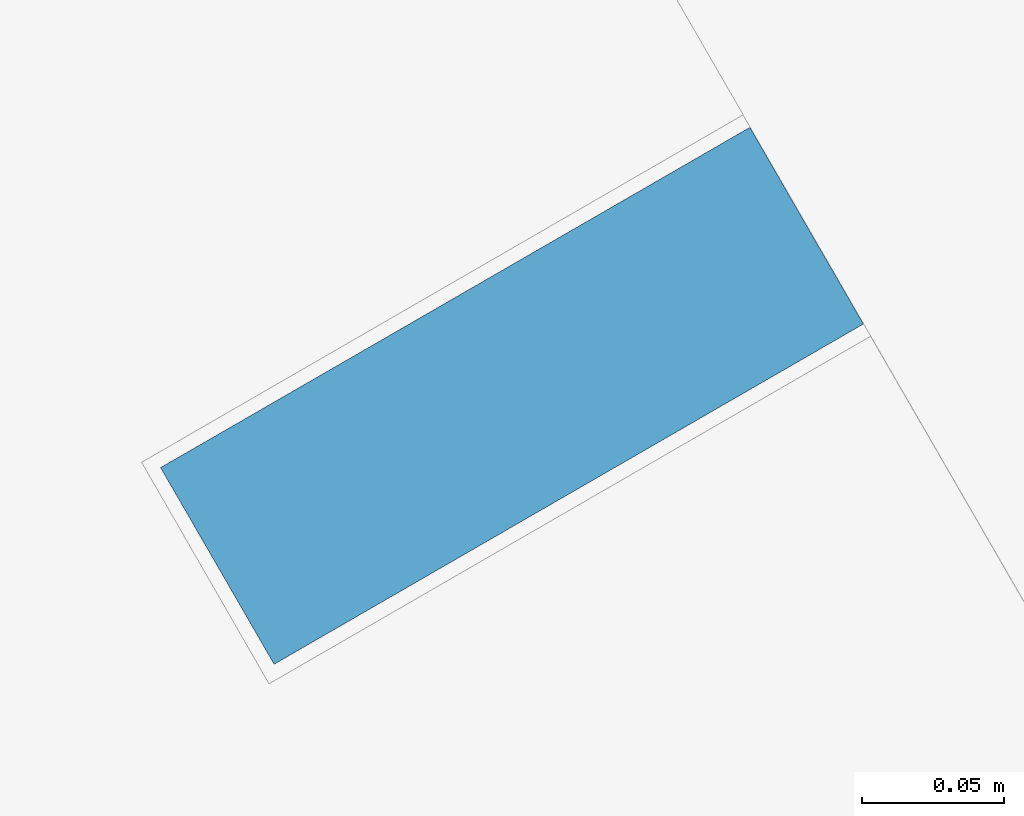
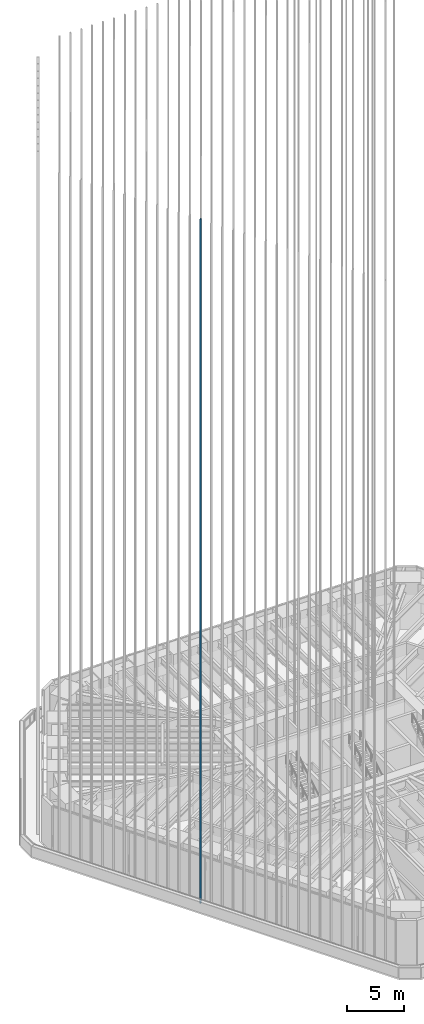
# One storey, part 49 of 228: 1 member, 1 element without a shape of its own.
"""IFC4 building model written with IfcOpenShell, lengths in metres."""

from ifc_helpers import new_model, si_unit, direction, frame, origin, origin_2d, place, context, subcontext, project, spatial, rectangle, extrude, material, material_profile, profile_set, type_object, element, aggregate, save


model = new_model("IFC4")

# Units and contexts
model_context = context("Model", 3, precision=1e-05, world=origin(), true_north=direction((0.0, 1.0)))
body_context = subcontext(model_context, "Body", "Model", "MODEL_VIEW")
ifc_project = project(units=[si_unit("LENGTHUNIT", "METRE"), si_unit("AREAUNIT", "SQUARE_METRE"), si_unit("VOLUMEUNIT", "CUBIC_METRE"), si_unit("PLANEANGLEUNIT", "RADIAN"), si_unit("MASSUNIT", "GRAM", prefix="KILO")], contexts=[model_context])

# Site, building, storey
site_placement = place(None, origin())
site = spatial("IfcSite", under=ifc_project, at=site_placement, CompositionType="ELEMENT")
building_placement = place(site_placement, origin())
building = spatial("IfcBuilding", under=site, at=building_placement, Name="Sandreach Pilgrim Tower", CompositionType="ELEMENT")
storey_placement = place(building_placement, frame((0.0, 0.0, 178.199951171875)))
storey = spatial("IfcBuildingStorey", under=building, at=storey_placement, Name="L44", CompositionType="ELEMENT", Elevation=178.199951171875)

# Curtain wall, member
ifc_material_1 = material(Name="Aluminium framed curtain wall", Category="aluminium")
curtain_wall_type = type_object("IfcCurtainWallType", Name="Upper hotel tower curtain wall", PredefinedType="NOTDEFINED", material=ifc_material_1)
curtain_wall_placement = place(storey_placement, origin())
curtain_wall = element("IfcCurtainWall", 1, at=curtain_wall_placement, inside=storey, type_object=curtain_wall_type, Name="CW-3 L44 SW", PredefinedType="NOTDEFINED")
ifc_material_2 = material(Name="Extruded terracotta on aluminium core", Category="masonry")
ifc_material_profile = material_profile(ifc_material_2, rectangle(XDim=0.080078125, YDim=0.239990234375, at=origin_2d()), Name="TBW 80X240")
ifc_profile_set = profile_set([ifc_material_profile], Name="Extruded terracotta on aluminium core")
member_type = type_object("IfcMemberType", Name="Terracotta baguette west", PredefinedType="USERDEFINED", material=ifc_profile_set)
member_placement = place(storey_placement, frame((-19.791015625, -8.88134765625, 0.0), z_axis=(0.0, 0.0, 1.0), x_axis=(-0.5, 0.866025403784, 0.0)))
member = element("IfcMember", 2, at=member_placement, type_object=member_type, Name="Baguette Z3 SW18", ObjectType="BAGUETTE", PredefinedType="USERDEFINED", context=body_context, shape_type="SweptSolid", body=[
    extrude(rectangle(XDim=0.080078125, YDim=0.239990234375, at=origin_2d()), origin(), (0.0, 0.0, 1.0), 73.239990234375),
])
aggregate(curtain_wall, [member])

save(model, "model.ifc")
